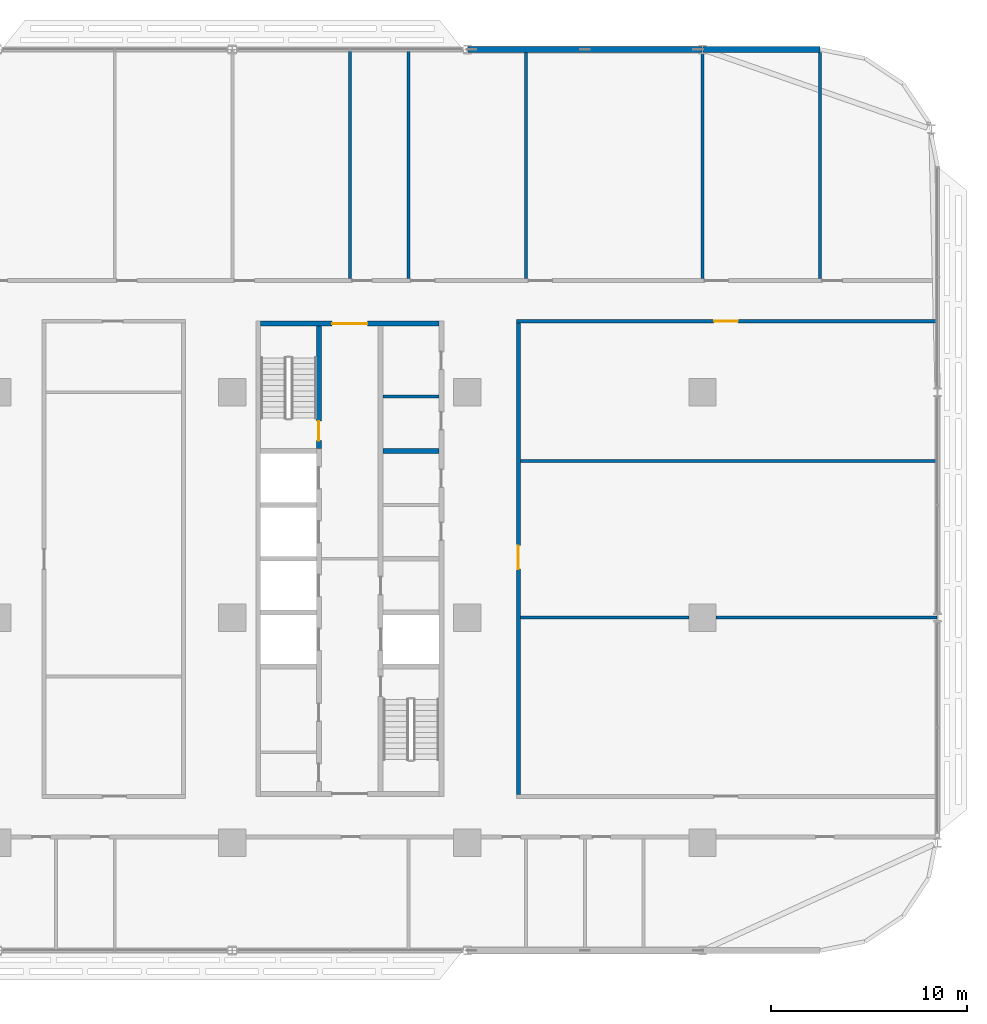
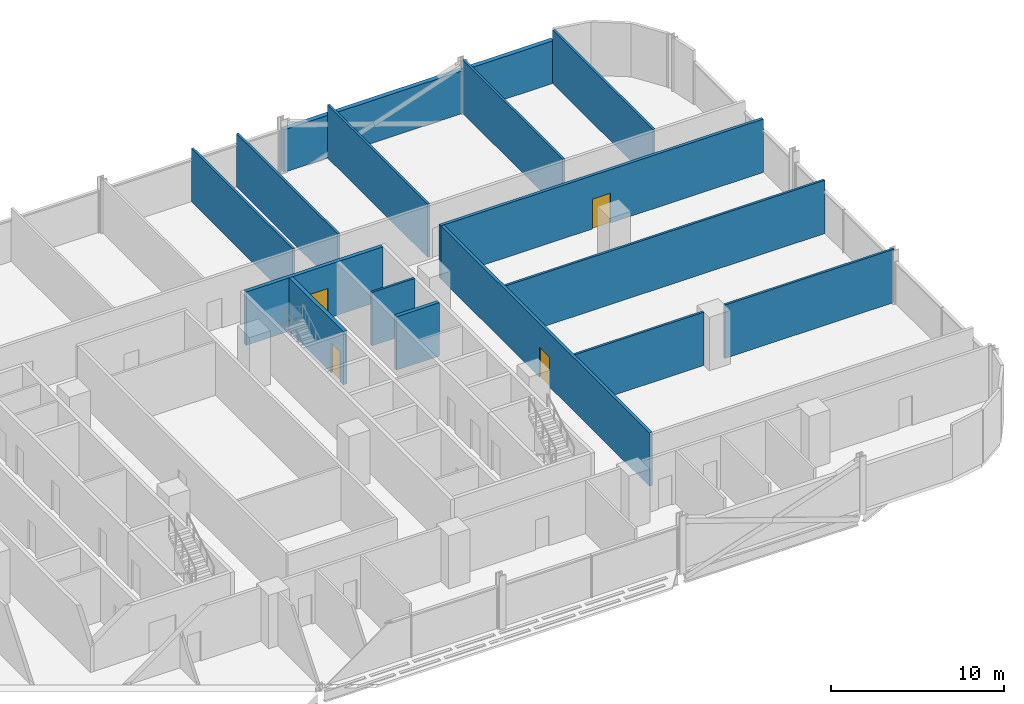
# One storey, part 17 of 29: 16 walls, 4 doors, 4 openings.
"""IFC4 building model written with IfcOpenShell, lengths in metres."""

import ifcopenshell
import ifcopenshell.guid

model = None  # the IFC model being written
_history = None  # IfcOwnerHistory: only IFC2X3 demands one
_inside = {}  # id of a spatial element -> (the spatial element, [elements in it])
_under = {}  # id of a project, library or spatial element -> (it, [spatial elements below it])
_declared = {}  # id of a project -> (the project, [libraries it declares])
_typed = {}  # id of a type object -> (the type object, [elements of that type])
_made_of = {}  # id of a material, layer set ... -> (it, [elements and type objects made of it])


def new_model(schema):
    """Start an empty IFC model of exactly this schema.

    Asked for "IFC4X3", IfcOpenShell would pick the latest addendum, in which some entities
    have other attributes; the version numbers below select the first issue.
    IFC2X3 requires an IfcOwnerHistory on every rooted entity: one is made here for all.
    """
    global model, _history
    if schema == "IFC4X3":
        model = ifcopenshell.file(schema_version=(4, 3, 0, 0))
    else:
        model = ifcopenshell.file(schema=schema)
    _inside.clear()
    _under.clear()
    _declared.clear()
    _typed.clear()
    _made_of.clear()
    _history = None
    if model.schema == "IFC2X3":
        org = make("IfcOrganization", Name="unknown")
        user = make(
            "IfcPersonAndOrganization",
            ThePerson=make("IfcPerson", FamilyName="unknown"),
            TheOrganization=org,
        )
        app = make(
            "IfcApplication",
            ApplicationDeveloper=org,
            Version="unknown",
            ApplicationFullName="unknown",
            ApplicationIdentifier="unknown",
        )
        _history = make(
            "IfcOwnerHistory",
            OwningUser=user,
            OwningApplication=app,
            ChangeAction="ADDED",
            CreationDate=0,
        )
    return model


def make(cls, **values):
    """One entity of the class cls with the attributes given. An attribute that is None is left unset."""
    return model.create_entity(
        cls, **{name: value for name, value in values.items() if value is not None}
    )


def rooted(cls, **values):
    """An entity with a GlobalId (a new one), such as an element, a storey or a relation."""
    return make(cls, GlobalId=ifcopenshell.guid.new(), OwnerHistory=_history, **values)


def si_unit(unit_type, name, prefix=None):
    """IfcSIUnit, for example si_unit("LENGTHUNIT", "METRE", prefix="MILLI")."""
    return make("IfcSIUnit", UnitType=unit_type, Prefix=prefix, Name=name)


def assignment(units):
    """IfcUnitAssignment: the units of a project."""
    return None if units is None else make("IfcUnitAssignment", Units=units)


def point(xyz):
    """IfcCartesianPoint."""
    return None if xyz is None else make("IfcCartesianPoint", Coordinates=xyz)


def direction(xyz):
    """IfcDirection."""
    return None if xyz is None else make("IfcDirection", DirectionRatios=xyz)


def frame(location, z_axis=None, x_axis=None):
    """IfcAxis2Placement3D, a coordinate frame: its origin and axes. An axis left out is left unset."""
    return make(
        "IfcAxis2Placement3D",
        Location=point(location),
        Axis=direction(z_axis),
        RefDirection=direction(x_axis),
    )


def frame_2d(location, x_axis=None):
    """IfcAxis2Placement2D, a coordinate frame in the plane: its origin and x axis."""
    return make(
        "IfcAxis2Placement2D", Location=point(location), RefDirection=direction(x_axis)
    )


def origin():
    """The frame at (0, 0, 0) with its axes left unset."""
    return frame((0.0, 0.0, 0.0))


def place(relative_to, where):
    """IfcLocalPlacement: puts the frame where relative to a parent placement (None: the world)."""
    return make(
        "IfcLocalPlacement", PlacementRelTo=relative_to, RelativePlacement=where
    )


def context(
    kind, dimensions, precision=None, world=None, true_north=None, identifier=None
):
    """IfcGeometricRepresentationContext, for example the 3D "Model" context."""
    return make(
        "IfcGeometricRepresentationContext",
        ContextIdentifier=identifier,
        ContextType=kind,
        CoordinateSpaceDimension=dimensions,
        Precision=precision,
        WorldCoordinateSystem=world,
        TrueNorth=true_north,
    )


def subcontext(parent, identifier, kind, view, scale=None):
    """IfcGeometricRepresentationSubContext, for example "Body" below "Model"."""
    return make(
        "IfcGeometricRepresentationSubContext",
        ContextIdentifier=identifier,
        ContextType=kind,
        ParentContext=parent,
        TargetScale=scale,
        TargetView=view,
    )


def project(units=None, contexts=None):
    """IfcProject with its units and contexts."""
    return rooted(
        "IfcProject",
        Name="project",
        RepresentationContexts=contexts,
        UnitsInContext=assignment(units),
    )


def spatial(cls, under=None, at=None, **own):
    """A site, building, storey or space (cls), placed at a placement, below another one or the project."""
    s = rooted(cls, ObjectPlacement=at, **own)
    if under is not None:
        _under.setdefault(under.id(), (under, []))[1].append(s)
    return s


def profile(cls, at=None, kind="AREA", **sizes):
    """A parametric profile (cls). Its sizes go by their IFC names, for example OverallWidth=200.0."""
    return make(cls, ProfileType=kind, Position=at, **sizes)


def rectangle(**sizes):
    """IfcRectangleProfileDef."""
    return profile("IfcRectangleProfileDef", **sizes)


def extrude(swept, where, along, depth):
    """IfcExtrudedAreaSolid: the profile swept, set in the frame where, extruded along a direction by depth."""
    return make(
        "IfcExtrudedAreaSolid",
        SweptArea=swept,
        Position=where,
        ExtrudedDirection=direction(along),
        Depth=depth,
    )


def shape(context_of_items, identifier, shape_type, items):
    """IfcShapeRepresentation: the items that make up one representation, for example the "Body"."""
    return make(
        "IfcShapeRepresentation",
        ContextOfItems=context_of_items,
        RepresentationIdentifier=identifier,
        RepresentationType=shape_type,
        Items=items,
    )


def material(Name=None, Category=None):
    """IfcMaterial."""
    return make("IfcMaterial", Name=Name, Category=Category)


def layer(
    of_material, thickness, ventilated=None, Name=None, Category=None, Priority=None
):
    """IfcMaterialLayer: one layer of a wall or slab, of a material (None: an air gap)."""
    return make(
        "IfcMaterialLayer",
        Material=of_material,
        LayerThickness=thickness,
        IsVentilated=ventilated,
        Name=Name,
        Category=Category,
        Priority=Priority,
    )


def layer_set(layers, Name=None):
    """IfcMaterialLayerSet."""
    return make("IfcMaterialLayerSet", MaterialLayers=layers, LayerSetName=Name)


def made_of(thing, what):
    """Note that an element or type object is made of a material, layer set ...; save() writes the relation."""
    if what is not None:
        _made_of.setdefault(what.id(), (what, []))[1].append(thing)
    return thing


def type_object(cls, material=None, **own):
    """A type object (cls), such as IfcWallType, which elements share."""
    return made_of(rooted(cls, **own), material)


def element(
    cls,
    number,
    at=None,
    inside=None,
    cuts=None,
    type_object=None,
    material=None,
    context=None,
    identifier="Body",
    shape_type=None,
    held_by="IfcProductDefinitionShape",
    body=None,
    shapes=None,
    **own,
):
    """One element of the class cls, such as IfcWall. Its Tag is "e" and its number.

    at: its placement. inside: the storey or other place that contains it. cuts: it is an
    opening in that element (IfcRelVoidsElement). A single representation is given by context,
    identifier, shape_type and body (its items); several are given by shapes. held_by: the class
    of the entity that holds the representations. save() writes the other relations.
    """
    e = rooted(cls, Tag="e%d" % number, ObjectPlacement=at, **own)
    if body is not None:
        shapes = [shape(context, identifier, shape_type, body)]
    if shapes is not None:
        e.Representation = make(held_by, Representations=shapes)
    if inside is not None:
        _inside.setdefault(inside.id(), (inside, []))[1].append(e)
    if cuts is not None:
        rooted(
            "IfcRelVoidsElement", RelatingBuildingElement=cuts, RelatedOpeningElement=e
        )
    if type_object is not None:
        _typed.setdefault(type_object.id(), (type_object, []))[1].append(e)
    return made_of(e, material)


def fill(opening, filler):
    """IfcRelFillsElement: the door or window that sits in an opening."""
    return rooted(
        "IfcRelFillsElement",
        RelatingOpeningElement=opening,
        RelatedBuildingElement=filler,
    )


def aggregate(whole, parts):
    """IfcRelAggregates: a whole, such as a stair, and the parts it consists of."""
    return rooted("IfcRelAggregates", RelatingObject=whole, RelatedObjects=parts)


def save(model, path):
    """Write the relations noted so far, then the file.

    IfcRelAggregates (storeys below a building ...), IfcRelContainedInSpatialStructure (elements
    in a storey), IfcRelDefinesByType, IfcRelAssociatesMaterial and IfcRelDeclares: one each for
    every whole, place, type object, material and project.
    """
    for whole, parts in _under.values():
        aggregate(whole, parts)
    for where, things in _inside.values():
        rooted(
            "IfcRelContainedInSpatialStructure",
            RelatedElements=things,
            RelatingStructure=where,
        )
    for kind, things in _typed.values():
        rooted("IfcRelDefinesByType", RelatedObjects=things, RelatingType=kind)
    for what, things in _made_of.values():
        rooted("IfcRelAssociatesMaterial", RelatedObjects=things, RelatingMaterial=what)
    for by, libraries in _declared.values():
        rooted("IfcRelDeclares", RelatingContext=by, RelatedDefinitions=libraries)
    model.write(path)


model = new_model("IFC4")

# Units and contexts
model_context = context("Model", 3, precision=1e-05, world=origin(), true_north=direction((0.0, 1.0)))
body_context = subcontext(model_context, "Body", "Model", "MODEL_VIEW")
ifc_project = project(units=[si_unit("LENGTHUNIT", "METRE"), si_unit("AREAUNIT", "SQUARE_METRE"), si_unit("VOLUMEUNIT", "CUBIC_METRE"), si_unit("PLANEANGLEUNIT", "RADIAN"), si_unit("MASSUNIT", "GRAM", prefix="KILO")], contexts=[model_context])

# Site, building, storey
site_placement = place(None, origin())
site = spatial("IfcSite", under=ifc_project, at=site_placement, CompositionType="ELEMENT")
building_placement = place(site_placement, origin())
building = spatial("IfcBuilding", under=site, at=building_placement, Name="Mahtab Terrace Research Tower", CompositionType="ELEMENT")
storey_placement = place(building_placement, frame((0.0, 0.0, 105.300048828125)))
storey = spatial("IfcBuildingStorey", under=building, at=storey_placement, Name="L24", CompositionType="ELEMENT", Elevation=105.300048828125)

# Wall
ifc_material_1 = material(Name="Gypsum board partition")
ifc_layer_1 = layer(ifc_material_1, 0.14990234375)
ifc_layer_set_1 = layer_set([ifc_layer_1], Name="Core partition 150")
wall_type_1 = type_object("IfcWallType", Name="Core partition 150", PredefinedType="PARTITIONING", material=ifc_layer_set_1)
wall_1_placement = place(storey_placement, frame((25.699951171875, 11.27490234375, 0.0), z_axis=(0.0, 0.0, 1.0), x_axis=(1.0, 0.0, 0.0)))
element("IfcWall", 1, at=wall_1_placement, inside=storey, type_object=wall_type_1, Name="Core wall C pEN828", PredefinedType="PARTITIONING", context=body_context, shape_type="SweptSolid", body=[
    extrude(rectangle(XDim=2.85009765625, YDim=0.14990234375, at=frame_2d((1.425048828125, 0.0))), origin(), (0.0, 0.0, 1.0), 3.760009765625),
])

# Wall, opening, door
ifc_material_2 = material(Name="Concrete C70/85", Category="concrete")
ifc_layer_2 = layer(ifc_material_2, 0.25)
ifc_layer_set_2 = layer_set([ifc_layer_2], Name="Core wall 250")
wall_type_2 = type_object("IfcWallType", Name="Core wall 250", PredefinedType="SOLIDWALL", material=ifc_layer_set_2)
wall_2_placement = place(storey_placement, frame((19.449951171875, 15.0, 0.0), z_axis=(0.0, 0.0, 1.0), x_axis=(1.0, 0.0, 0.0)))
wall_2 = element("IfcWall", 2, at=wall_2_placement, inside=storey, type_object=wall_type_2, Name="Core wall C endN", PredefinedType="SOLIDWALL", context=body_context, shape_type="SweptSolid", body=[
    extrude(rectangle(XDim=9.10009765625, YDim=0.25, at=frame_2d((4.550048828125, 0.0))), origin(), (0.0, 0.0, 1.0), 3.760009765625),
])
opening_1_placement = place(wall_2_placement, frame((3.64990234375, 0.0, 0.0)))
opening_1 = element("IfcOpeningElement", 3, at=opening_1_placement, cuts=wall_2, Name="Opening C-N1", PredefinedType="OPENING", context=body_context, shape_type="SweptSolid", body=[
    extrude(rectangle(XDim=1.800048828125, YDim=2.10009765625, at=frame_2d((0.89990234375, 1.050048828125))), frame((0.0, 0.135009765625, 0.0), z_axis=(0.0, -1.0, 0.0), x_axis=(1.0, 0.0, 0.0)), (0.0, 0.0, 1.0), 0.27001953125),
])
ifc_material_3 = material(Name="Steel fire door", Category="steel")
door_type_1 = type_object("IfcDoorType", Name="Lobby double door 1800x2100 1 HR", OperationType="DOUBLE_DOOR_SINGLE_SWING", PredefinedType="DOOR", material=ifc_material_3)
door_1_placement = place(opening_1_placement, origin())
door_1 = element("IfcDoor", 4, at=door_1_placement, inside=storey, type_object=door_type_1, Name="Core entrance door C N", OperationType="DOUBLE_DOOR_SINGLE_SWING", OverallHeight=2.10009765625, OverallWidth=1.800048828125, PredefinedType="DOOR", context=body_context, shape_type="SweptSolid", body=[
    extrude(rectangle(XDim=1.800048828125, YDim=2.10009765625, at=frame_2d((0.89990234375, 1.050048828125))), frame((0.0, 0.02490234375, 0.0), z_axis=(0.0, -1.0, 0.0), x_axis=(1.0, 0.0, 0.0)), (0.0, 0.0, 1.0), 0.050048828125),
])
fill(opening_1, door_1)

wall_3_placement = place(storey_placement, frame((22.425048828125, 14.875, 0.0), z_axis=(0.0, 0.0, 1.0), x_axis=(0.0, -1.0, 0.0)))
wall_3 = element("IfcWall", 5, at=wall_3_placement, inside=storey, type_object=wall_type_2, Name="Core wall C innerWN", PredefinedType="SOLIDWALL", context=body_context, shape_type="SweptSolid", body=[
    extrude(rectangle(XDim=6.25, YDim=0.25, at=frame_2d((3.125, 0.0))), origin(), (0.0, 0.0, 1.0), 3.760009765625),
])
opening_2_placement = place(wall_3_placement, frame((4.85009765625, 0.0, 0.0)))
opening_2 = element("IfcOpeningElement", 6, at=opening_2_placement, cuts=wall_3, Name="Opening C-ST3", PredefinedType="OPENING", context=body_context, shape_type="SweptSolid", body=[
    extrude(rectangle(XDim=1.0, YDim=2.10009765625, at=frame_2d((0.5, 1.050048828125))), frame((0.0, 0.135009765625, 0.0), z_axis=(0.0, -1.0, 0.0), x_axis=(1.0, 0.0, 0.0)), (0.0, 0.0, 1.0), 0.27001953125),
])
door_type_2 = type_object("IfcDoorType", Name="Stair door 1000x2100 1.5 HR", OperationType="NOTDEFINED", PredefinedType="DOOR", material=ifc_material_3)
door_2_placement = place(opening_2_placement, origin())
door_2 = element("IfcDoor", 7, at=door_2_placement, inside=storey, type_object=door_type_2, Name="Stair door ST3 L24", OperationType="SINGLE_SWING_RIGHT", OverallHeight=2.10009765625, OverallWidth=1.0, PredefinedType="DOOR", context=body_context, shape_type="SweptSolid", body=[
    extrude(rectangle(XDim=1.0, YDim=2.10009765625, at=frame_2d((0.5, 1.050048828125))), frame((0.0, 0.02490234375, 0.0), z_axis=(0.0, -1.0, 0.0), x_axis=(1.0, 0.0, 0.0)), (0.0, 0.0, 1.0), 0.050048828125),
])
fill(opening_2, door_2)

# Walls
wall_4_placement = place(storey_placement, frame((25.699951171875, 8.5, 0.0), z_axis=(0.0, 0.0, 1.0), x_axis=(1.0, 0.0, 0.0)))
element("IfcWall", 8, at=wall_4_placement, inside=storey, type_object=wall_type_2, Name="Core wall C divE4", PredefinedType="SOLIDWALL", context=body_context, shape_type="SweptSolid", body=[
    extrude(rectangle(XDim=2.85009765625, YDim=0.25, at=frame_2d((1.425048828125, 0.0))), origin(), (0.0, 0.0, 1.0), 3.760009765625),
])
ifc_material_4 = material(Name="Black aluminium cladding panel", Category="aluminium")
ifc_layer_3 = layer(ifc_material_4, 0.300048828125)
ifc_layer_set_3 = layer_set([ifc_layer_3], Name="Opaque facade wall 300")
wall_type_3 = type_object("IfcWallType", Name="Opaque facade wall 300", PredefinedType="NOTDEFINED", material=ifc_layer_set_3)
wall_5_placement = place(storey_placement, frame((48.0, 29.0, 0.0), z_axis=(0.0, 0.0, 1.0), x_axis=(-1.0, 0.0, 0.0)))
element("IfcWall", 9, at=wall_5_placement, inside=storey, type_object=wall_type_3, Name="Opaque facade wall L24 N3", PredefinedType="NOTDEFINED", context=body_context, shape_type="SweptSolid", body=[
    extrude(rectangle(XDim=5.97900390625, YDim=0.300048828125, at=frame_2d((2.989501953125, 0.0))), origin(), (0.0, 0.0, 1.0), 3.0029296875),
])
wall_6_placement = place(storey_placement, frame((41.97900390625, 29.0, 0.0), z_axis=(0.0, 0.0, 1.0), x_axis=(-1.0, 0.0, 0.0)))
element("IfcWall", 10, at=wall_6_placement, inside=storey, type_object=wall_type_3, Name="Opaque facade wall L24 N4", PredefinedType="NOTDEFINED", context=body_context, shape_type="SweptSolid", body=[
    extrude(rectangle(XDim=11.9580078125, YDim=0.300048828125, at=frame_2d((5.97900390625, 0.0))), origin(), (0.0, 0.0, 1.0), 3.0029296875),
])

# Wall, opening, door
ifc_material_5 = material(Name="Gypsum board corridor wall on steel studs", Category="steel")
ifc_layer_4 = layer(ifc_material_5, 0.199951171875)
ifc_layer_set_4 = layer_set([ifc_layer_4], Name="WALL CORRIDOR 200")
wall_type_4 = type_object("IfcWallType", Name="WALL CORRIDOR 200", PredefinedType="PARTITIONING", material=ifc_layer_set_4)
wall_7_placement = place(storey_placement, frame((32.5, 15.125, 0.0), z_axis=(0.0, 0.0, 1.0), x_axis=(1.0, 0.0, 0.0)))
wall_7 = element("IfcWall", 11, at=wall_7_placement, inside=storey, type_object=wall_type_4, Name="L24-W025", PredefinedType="PARTITIONING", context=body_context, shape_type="SweptSolid", body=[
    extrude(rectangle(XDim=21.47509765625, YDim=0.199951171875, at=frame_2d((10.737548828125, 0.0))), origin(), (0.0, 0.0, 1.0), 3.760009765625),
])
opening_3_placement = place(wall_7_placement, frame((10.10009765625, 0.0, 0.0)))
opening_3 = element("IfcOpeningElement", 12, at=opening_3_placement, cuts=wall_7, Name="Opening L24-123", PredefinedType="OPENING", context=body_context, shape_type="SweptSolid", body=[
    extrude(rectangle(XDim=1.199951171875, YDim=2.10009765625, at=frame_2d((0.60009765625, 1.050048828125))), frame((0.0, 0.10986328125, 0.0), z_axis=(0.0, -1.0, 0.0), x_axis=(1.0, 0.0, 0.0)), (0.0, 0.0, 1.0), 0.219970703125),
])
ifc_material_6 = material(Name="Timber door leaf in steel frame", Category="steel")
door_type_3 = type_object("IfcDoorType", Name="DOOR 1200X2100 FD30S", OperationType="SINGLE_SWING_LEFT", PredefinedType="DOOR", material=ifc_material_6)
door_3_placement = place(opening_3_placement, origin())
door_3 = element("IfcDoor", 13, at=door_3_placement, inside=storey, type_object=door_type_3, Name="Door L24-123", OperationType="SINGLE_SWING_LEFT", OverallHeight=2.10009765625, OverallWidth=1.199951171875, PredefinedType="DOOR", context=body_context, shape_type="SweptSolid", body=[
    extrude(rectangle(XDim=1.199951171875, YDim=2.10009765625, at=frame_2d((0.60009765625, 1.050048828125))), frame((0.0, 0.02490234375, 0.0), z_axis=(0.0, -1.0, 0.0), x_axis=(1.0, 0.0, 0.0)), (0.0, 0.0, 1.0), 0.050048828125),
])
fill(opening_3, door_3)

wall_8_placement = place(storey_placement, frame((32.60009765625, -9.02490234375, 0.0), z_axis=(0.0, 0.0, 1.0), x_axis=(0.0, 1.0, 0.0)))
wall_8 = element("IfcWall", 14, at=wall_8_placement, inside=storey, type_object=wall_type_4, Name="L24-W054", PredefinedType="PARTITIONING", context=body_context, shape_type="SweptSolid", body=[
    extrude(rectangle(XDim=24.0498046875, YDim=0.199951171875, at=frame_2d((12.02490234375, 0.0))), origin(), (0.0, 0.0, 1.0), 3.760009765625),
])
opening_4_placement = place(wall_8_placement, frame((11.5, 0.0, 0.0)))
opening_4 = element("IfcOpeningElement", 15, at=opening_4_placement, cuts=wall_8, Name="Opening L24-121", PredefinedType="OPENING", context=body_context, shape_type="SweptSolid", body=[
    extrude(rectangle(XDim=1.199951171875, YDim=2.10009765625, at=frame_2d((0.60009765625, 1.050048828125))), frame((0.0, 0.10986328125, 0.0), z_axis=(0.0, -1.0, 0.0), x_axis=(1.0, 0.0, 0.0)), (0.0, 0.0, 1.0), 0.219970703125),
])
door_4_placement = place(opening_4_placement, origin())
door_4 = element("IfcDoor", 16, at=door_4_placement, inside=storey, type_object=door_type_3, Name="Door L24-121", OperationType="SINGLE_SWING_LEFT", OverallHeight=2.10009765625, OverallWidth=1.199951171875, PredefinedType="DOOR", context=body_context, shape_type="SweptSolid", body=[
    extrude(rectangle(XDim=1.199951171875, YDim=2.10009765625, at=frame_2d((0.60009765625, 1.050048828125))), frame((0.0, 0.02490234375, 0.0), z_axis=(0.0, -1.0, 0.0), x_axis=(1.0, 0.0, 0.0)), (0.0, 0.0, 1.0), 0.050048828125),
])
fill(opening_4, door_4)

# Walls
ifc_material_7 = material(Name="Gypsum board partition on steel studs", Category="steel")
ifc_layer_5 = layer(ifc_material_7, 0.14990234375)
ifc_layer_set_5 = layer_set([ifc_layer_5], Name="WALL PARTITION 150")
wall_type_5 = type_object("IfcWallType", Name="WALL PARTITION 150", PredefinedType="PARTITIONING", material=ifc_layer_set_5)
wall_9_placement = place(storey_placement, frame((32.699951171875, 0.0, 0.0), z_axis=(0.0, 0.0, 1.0), x_axis=(1.0, 0.0, 0.0)))
element("IfcWall", 17, at=wall_9_placement, inside=storey, type_object=wall_type_5, Name="L24-W016", PredefinedType="PARTITIONING", context=body_context, shape_type="SweptSolid", body=[
    extrude(rectangle(XDim=8.60009765625, YDim=0.14990234375, at=frame_2d((4.300048828125, 0.0))), origin(), (0.0, 0.0, 1.0), 3.760009765625),
])
wall_10_placement = place(storey_placement, frame((42.699951171875, 0.0, 0.0), z_axis=(0.0, 0.0, 1.0), x_axis=(1.0, 0.0, 0.0)))
element("IfcWall", 18, at=wall_10_placement, inside=storey, type_object=wall_type_5, Name="L24-W017", PredefinedType="PARTITIONING", context=body_context, shape_type="SweptSolid", body=[
    extrude(rectangle(XDim=11.275146484375, YDim=0.14990234375, at=frame_2d((5.6376953125, 0.0))), origin(), (0.0, 0.0, 1.0), 3.760009765625),
])
wall_11_placement = place(storey_placement, frame((32.699951171875, 8.0, 0.0), z_axis=(0.0, 0.0, 1.0), x_axis=(1.0, 0.0, 0.0)))
element("IfcWall", 19, at=wall_11_placement, inside=storey, type_object=wall_type_5, Name="L24-W019", PredefinedType="PARTITIONING", context=body_context, shape_type="SweptSolid", body=[
    extrude(rectangle(XDim=21.275146484375, YDim=0.14990234375, at=frame_2d((10.6376953125, 0.0))), origin(), (0.0, 0.0, 1.0), 3.760009765625),
])
for number, where, z_axis, x_axis, name in (
    (20, (24.0, 17.300048828125, 0.0), (0.0, 0.0, 1.0), (0.0, 1.0, 0.0), "L24-W051"),
    (21, (27.0, 17.300048828125, 0.0), (0.0, 0.0, 1.0), (0.0, 1.0, 0.0), "L24-W053"),
):
    element("IfcWall", number, at=place(storey_placement, frame(where, z_axis=z_axis, x_axis=x_axis)), inside=storey, type_object=wall_type_5, Name=name, PredefinedType="PARTITIONING", context=body_context, shape_type="SweptSolid", body=[
        extrude(rectangle(XDim=11.675048828125, YDim=0.14990234375, at=frame_2d((5.83740234375, 0.0))), origin(), (0.0, 0.0, 1.0), 3.760009765625),
    ])
for number, where, z_axis, x_axis, name in (
    (22, (33.0, 17.300048828125, 0.0), (0.0, 0.0, 1.0), (0.0, 1.0, 0.0), "L24-W056"),
    (23, (42.0, 17.300048828125, 0.0), (0.0, 0.0, 1.0), (0.0, 1.0, 0.0), "L24-W059"),
):
    element("IfcWall", number, at=place(storey_placement, frame(where, z_axis=z_axis, x_axis=x_axis)), inside=storey, type_object=wall_type_5, Name=name, PredefinedType="PARTITIONING", context=body_context, shape_type="SweptSolid", body=[
        extrude(rectangle(XDim=11.550048828125, YDim=0.14990234375, at=frame_2d((5.77490234375, 0.0))), origin(), (0.0, 0.0, 1.0), 3.760009765625),
    ])
wall_12_placement = place(storey_placement, frame((48.0, 17.300048828125, 0.0), z_axis=(0.0, 0.0, 1.0), x_axis=(0.0, 1.0, 0.0)))
element("IfcWall", 24, at=wall_12_placement, inside=storey, type_object=wall_type_5, Name="L24-W060", PredefinedType="PARTITIONING", context=body_context, shape_type="SweptSolid", body=[
    extrude(rectangle(XDim=11.547119140625, YDim=0.14990234375, at=frame_2d((5.7734375, 0.0))), origin(), (0.0, 0.0, 1.0), 3.760009765625),
])

save(model, "model.ifc")
